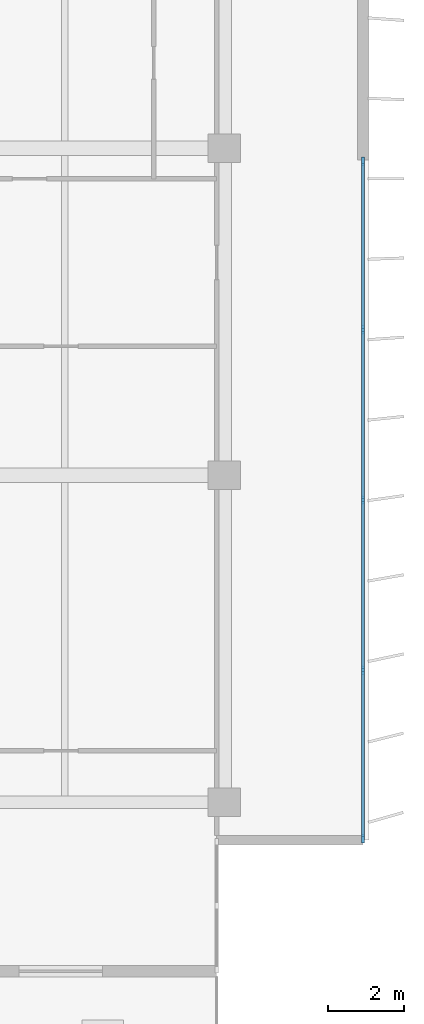
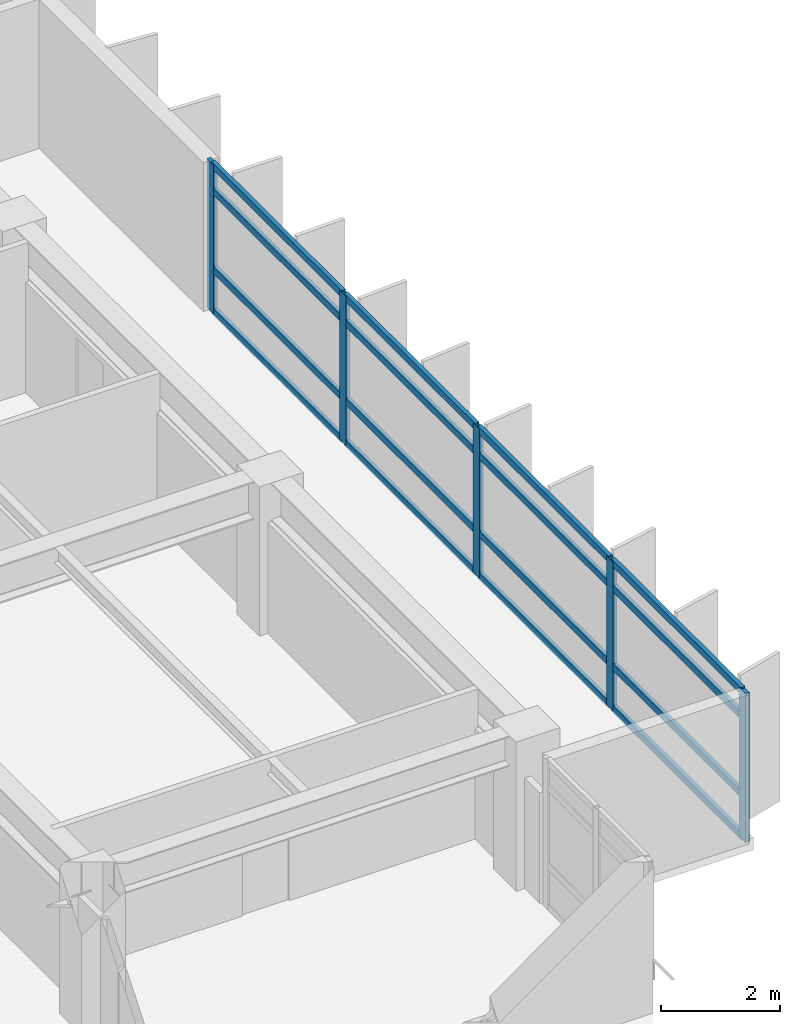
# One storey, part 5 of 16: 21 members, 1 element without a shape of its own.
"""IFC4 building model written with IfcOpenShell, lengths in metres."""

from ifc_helpers import new_model, si_unit, direction, frame, origin, origin_2d, place, context, subcontext, project, spatial, rectangle, extrude, material, layer, layer_set, material_profile, profile_set, type_object, element, aggregate, save


model = new_model("IFC4")

# Units and contexts
model_context = context("Model", 3, precision=1e-05, world=origin(), true_north=direction((0.0, 1.0)))
body_context = subcontext(model_context, "Body", "Model", "MODEL_VIEW")
ifc_project = project(units=[si_unit("LENGTHUNIT", "METRE"), si_unit("AREAUNIT", "SQUARE_METRE"), si_unit("VOLUMEUNIT", "CUBIC_METRE"), si_unit("PLANEANGLEUNIT", "RADIAN"), si_unit("MASSUNIT", "GRAM", prefix="KILO")], contexts=[model_context])

# Site, building, storey
site_placement = place(None, origin())
site = spatial("IfcSite", under=ifc_project, at=site_placement, CompositionType="ELEMENT")
building_placement = place(site_placement, origin())
building = spatial("IfcBuilding", under=site, at=building_placement, Name="Caelmar Bay Residences", CompositionType="ELEMENT")
storey_placement = place(building_placement, frame((0.0, 0.0, 198.300048828125)))
storey = spatial("IfcBuildingStorey", under=building, at=storey_placement, Name="L55", CompositionType="ELEMENT", Elevation=198.300048828125)

# Curtain wall, members
ifc_material_1 = material(Name="Anodised bronze aluminium 6063-T6 and laminated glass", Category="aluminium")
ifc_layer = layer(ifc_material_1, 0.179931640625)
ifc_layer_set = layer_set([ifc_layer], Name="Anodised bronze aluminium 6063-T6 and laminated glass")
curtain_wall_type = type_object("IfcCurtainWallType", Name="CW4-Z3", PredefinedType="NOTDEFINED", material=ifc_layer_set)
curtain_wall_placement = place(storey_placement, origin())
curtain_wall = element("IfcCurtainWall", 1, at=curtain_wall_placement, inside=storey, type_object=curtain_wall_type, Name="CW4 curtain wall L55", PredefinedType="NOTDEFINED")
ifc_material_2 = material(Name="Anodised bronze aluminium 6063-T6", Category="aluminium")
ifc_material_profile_1 = material_profile(ifc_material_2, rectangle(XDim=0.080078125, YDim=0.219970703125, at=origin_2d()), Name="CWM-80X220")
ifc_profile_set_1 = profile_set([ifc_material_profile_1], Name="Anodised bronze aluminium 6063-T6")
member_type_1 = type_object("IfcMemberType", Name="CWM-220", PredefinedType="MULLION", material=ifc_profile_set_1)
member_1_placement = place(storey_placement, frame((71.550048828125, 29.06005859375, 0.0), z_axis=(0.0, 0.0, 1.0), x_axis=(1.0, 0.0, 0.0)))
member_1 = element("IfcMember", 2, at=member_1_placement, type_object=member_type_1, Name="CW4 mullion 1", PredefinedType="MULLION", context=body_context, shape_type="SweptSolid", body=[
    extrude(rectangle(XDim=0.080078125, YDim=0.219970703125, at=origin_2d()), origin(), (0.0, 0.0, 1.0), 3.050048828125),
])
member_2_placement = place(storey_placement, frame((71.550048828125, 24.625, 0.0), z_axis=(0.0, 0.0, 1.0), x_axis=(1.0, 0.0, 0.0)))
member_2 = element("IfcMember", 3, at=member_2_placement, type_object=member_type_1, Name="CW4 mullion 2", PredefinedType="MULLION", context=body_context, shape_type="SweptSolid", body=[
    extrude(rectangle(XDim=0.080078125, YDim=0.219970703125, at=origin_2d()), origin(), (0.0, 0.0, 1.0), 3.050048828125),
])
member_3_placement = place(storey_placement, frame((71.550048828125, 20.14990234375, 0.0), z_axis=(0.0, 0.0, 1.0), x_axis=(1.0, 0.0, 0.0)))
member_3 = element("IfcMember", 4, at=member_3_placement, type_object=member_type_1, Name="CW4 mullion 3", PredefinedType="MULLION", context=body_context, shape_type="SweptSolid", body=[
    extrude(rectangle(XDim=0.080078125, YDim=0.219970703125, at=origin_2d()), origin(), (0.0, 0.0, 1.0), 3.050048828125),
])
member_4_placement = place(storey_placement, frame((71.550048828125, 15.675048828125, 0.0), z_axis=(0.0, 0.0, 1.0), x_axis=(1.0, 0.0, 0.0)))
member_4 = element("IfcMember", 5, at=member_4_placement, type_object=member_type_1, Name="CW4 mullion 4", PredefinedType="MULLION", context=body_context, shape_type="SweptSolid", body=[
    extrude(rectangle(XDim=0.080078125, YDim=0.219970703125, at=origin_2d()), origin(), (0.0, 0.0, 1.0), 3.050048828125),
])
member_5_placement = place(storey_placement, frame((71.550048828125, 11.239990234375, 0.0), z_axis=(0.0, 0.0, 1.0), x_axis=(1.0, 0.0, 0.0)))
member_5 = element("IfcMember", 6, at=member_5_placement, type_object=member_type_1, Name="CW4 mullion 5", PredefinedType="MULLION", context=body_context, shape_type="SweptSolid", body=[
    extrude(rectangle(XDim=0.080078125, YDim=0.219970703125, at=origin_2d()), origin(), (0.0, 0.0, 1.0), 3.050048828125),
])
ifc_material_profile_2 = material_profile(ifc_material_2, rectangle(XDim=0.080078125, YDim=0.139892578125, at=origin_2d()), Name="CWT-80X140")
ifc_profile_set_2 = profile_set([ifc_material_profile_2], Name="Anodised bronze aluminium 6063-T6")
member_type_2 = type_object("IfcMemberType", Name="CWT-140", PredefinedType="NOTDEFINED", material=ifc_profile_set_2)
member_6_placement = place(storey_placement, frame((71.550048828125, 29.02001953125, 0.0400390625), z_axis=(0.0, -1.0, 0.0), x_axis=(1.0, 0.0, 0.0)))
member_6 = element("IfcMember", 7, at=member_6_placement, type_object=member_type_2, Name="CW4 transom 1.1", ObjectType="TRANSOM", PredefinedType="USERDEFINED", context=body_context, shape_type="SweptSolid", body=[
    extrude(rectangle(XDim=0.080078125, YDim=0.139892578125, at=origin_2d()), origin(), (0.0, 0.0, 1.0), 4.35498046875),
])
member_7_placement = place(storey_placement, frame((71.550048828125, 29.02001953125, 0.89990234375), z_axis=(0.0, -1.0, 0.0), x_axis=(1.0, 0.0, 0.0)))
member_7 = element("IfcMember", 8, at=member_7_placement, type_object=member_type_2, Name="CW4 transom 1.2", ObjectType="TRANSOM", PredefinedType="USERDEFINED", context=body_context, shape_type="SweptSolid", body=[
    extrude(rectangle(XDim=0.080078125, YDim=0.139892578125, at=origin_2d()), origin(), (0.0, 0.0, 1.0), 4.35498046875),
])
member_8_placement = place(storey_placement, frame((71.550048828125, 29.02001953125, 2.5), z_axis=(0.0, -1.0, 0.0), x_axis=(1.0, 0.0, 0.0)))
member_8 = element("IfcMember", 9, at=member_8_placement, type_object=member_type_2, Name="CW4 transom 1.3", ObjectType="TRANSOM", PredefinedType="USERDEFINED", context=body_context, shape_type="SweptSolid", body=[
    extrude(rectangle(XDim=0.080078125, YDim=0.139892578125, at=origin_2d()), origin(), (0.0, 0.0, 1.0), 4.35498046875),
])
member_9_placement = place(storey_placement, frame((71.550048828125, 29.02001953125, 3.010009765625), z_axis=(0.0, -1.0, 0.0), x_axis=(1.0, 0.0, 0.0)))
member_9 = element("IfcMember", 10, at=member_9_placement, type_object=member_type_2, Name="CW4 transom 1.4", ObjectType="TRANSOM", PredefinedType="USERDEFINED", context=body_context, shape_type="SweptSolid", body=[
    extrude(rectangle(XDim=0.080078125, YDim=0.139892578125, at=origin_2d()), origin(), (0.0, 0.0, 1.0), 4.35498046875),
])
member_10_placement = place(storey_placement, frame((71.550048828125, 24.5849609375, 0.0400390625), z_axis=(0.0, -1.0, 0.0), x_axis=(1.0, 0.0, 0.0)))
member_10 = element("IfcMember", 11, at=member_10_placement, type_object=member_type_2, Name="CW4 transom 2.1", ObjectType="TRANSOM", PredefinedType="USERDEFINED", context=body_context, shape_type="SweptSolid", body=[
    extrude(rectangle(XDim=0.080078125, YDim=0.139892578125, at=origin_2d()), origin(), (0.0, 0.0, 1.0), 4.39501953125),
])
member_11_placement = place(storey_placement, frame((71.550048828125, 24.5849609375, 0.89990234375), z_axis=(0.0, -1.0, 0.0), x_axis=(1.0, 0.0, 0.0)))
member_11 = element("IfcMember", 12, at=member_11_placement, type_object=member_type_2, Name="CW4 transom 2.2", ObjectType="TRANSOM", PredefinedType="USERDEFINED", context=body_context, shape_type="SweptSolid", body=[
    extrude(rectangle(XDim=0.080078125, YDim=0.139892578125, at=origin_2d()), origin(), (0.0, 0.0, 1.0), 4.39501953125),
])
member_12_placement = place(storey_placement, frame((71.550048828125, 24.5849609375, 2.5), z_axis=(0.0, -1.0, 0.0), x_axis=(1.0, 0.0, 0.0)))
member_12 = element("IfcMember", 13, at=member_12_placement, type_object=member_type_2, Name="CW4 transom 2.3", ObjectType="TRANSOM", PredefinedType="USERDEFINED", context=body_context, shape_type="SweptSolid", body=[
    extrude(rectangle(XDim=0.080078125, YDim=0.139892578125, at=origin_2d()), origin(), (0.0, 0.0, 1.0), 4.39501953125),
])
member_13_placement = place(storey_placement, frame((71.550048828125, 24.5849609375, 3.010009765625), z_axis=(0.0, -1.0, 0.0), x_axis=(1.0, 0.0, 0.0)))
member_13 = element("IfcMember", 14, at=member_13_placement, type_object=member_type_2, Name="CW4 transom 2.4", ObjectType="TRANSOM", PredefinedType="USERDEFINED", context=body_context, shape_type="SweptSolid", body=[
    extrude(rectangle(XDim=0.080078125, YDim=0.139892578125, at=origin_2d()), origin(), (0.0, 0.0, 1.0), 4.39501953125),
])
member_14_placement = place(storey_placement, frame((71.550048828125, 20.110107421875, 0.0400390625), z_axis=(0.0, -1.0, 0.0), x_axis=(1.0, 0.0, 0.0)))
member_14 = element("IfcMember", 15, at=member_14_placement, type_object=member_type_2, Name="CW4 transom 3.1", ObjectType="TRANSOM", PredefinedType="USERDEFINED", context=body_context, shape_type="SweptSolid", body=[
    extrude(rectangle(XDim=0.080078125, YDim=0.139892578125, at=origin_2d()), origin(), (0.0, 0.0, 1.0), 4.39501953125),
])
member_15_placement = place(storey_placement, frame((71.550048828125, 20.110107421875, 0.89990234375), z_axis=(0.0, -1.0, 0.0), x_axis=(1.0, 0.0, 0.0)))
member_15 = element("IfcMember", 16, at=member_15_placement, type_object=member_type_2, Name="CW4 transom 3.2", ObjectType="TRANSOM", PredefinedType="USERDEFINED", context=body_context, shape_type="SweptSolid", body=[
    extrude(rectangle(XDim=0.080078125, YDim=0.139892578125, at=origin_2d()), origin(), (0.0, 0.0, 1.0), 4.39501953125),
])
member_16_placement = place(storey_placement, frame((71.550048828125, 20.110107421875, 2.5), z_axis=(0.0, -1.0, 0.0), x_axis=(1.0, 0.0, 0.0)))
member_16 = element("IfcMember", 17, at=member_16_placement, type_object=member_type_2, Name="CW4 transom 3.3", ObjectType="TRANSOM", PredefinedType="USERDEFINED", context=body_context, shape_type="SweptSolid", body=[
    extrude(rectangle(XDim=0.080078125, YDim=0.139892578125, at=origin_2d()), origin(), (0.0, 0.0, 1.0), 4.39501953125),
])
member_17_placement = place(storey_placement, frame((71.550048828125, 20.110107421875, 3.010009765625), z_axis=(0.0, -1.0, 0.0), x_axis=(1.0, 0.0, 0.0)))
member_17 = element("IfcMember", 18, at=member_17_placement, type_object=member_type_2, Name="CW4 transom 3.4", ObjectType="TRANSOM", PredefinedType="USERDEFINED", context=body_context, shape_type="SweptSolid", body=[
    extrude(rectangle(XDim=0.080078125, YDim=0.139892578125, at=origin_2d()), origin(), (0.0, 0.0, 1.0), 4.39501953125),
])
member_18_placement = place(storey_placement, frame((71.550048828125, 15.635009765625, 0.0400390625), z_axis=(0.0, -1.0, 0.0), x_axis=(1.0, 0.0, 0.0)))
member_18 = element("IfcMember", 19, at=member_18_placement, type_object=member_type_2, Name="CW4 transom 4.1", ObjectType="TRANSOM", PredefinedType="USERDEFINED", context=body_context, shape_type="SweptSolid", body=[
    extrude(rectangle(XDim=0.080078125, YDim=0.139892578125, at=origin_2d()), origin(), (0.0, 0.0, 1.0), 4.35498046875),
])
member_19_placement = place(storey_placement, frame((71.550048828125, 15.635009765625, 0.89990234375), z_axis=(0.0, -1.0, 0.0), x_axis=(1.0, 0.0, 0.0)))
member_19 = element("IfcMember", 20, at=member_19_placement, type_object=member_type_2, Name="CW4 transom 4.2", ObjectType="TRANSOM", PredefinedType="USERDEFINED", context=body_context, shape_type="SweptSolid", body=[
    extrude(rectangle(XDim=0.080078125, YDim=0.139892578125, at=origin_2d()), origin(), (0.0, 0.0, 1.0), 4.35498046875),
])
member_20_placement = place(storey_placement, frame((71.550048828125, 15.635009765625, 2.5), z_axis=(0.0, -1.0, 0.0), x_axis=(1.0, 0.0, 0.0)))
member_20 = element("IfcMember", 21, at=member_20_placement, type_object=member_type_2, Name="CW4 transom 4.3", ObjectType="TRANSOM", PredefinedType="USERDEFINED", context=body_context, shape_type="SweptSolid", body=[
    extrude(rectangle(XDim=0.080078125, YDim=0.139892578125, at=origin_2d()), origin(), (0.0, 0.0, 1.0), 4.35498046875),
])
member_21_placement = place(storey_placement, frame((71.550048828125, 15.635009765625, 3.010009765625), z_axis=(0.0, -1.0, 0.0), x_axis=(1.0, 0.0, 0.0)))
member_21 = element("IfcMember", 22, at=member_21_placement, type_object=member_type_2, Name="CW4 transom 4.4", ObjectType="TRANSOM", PredefinedType="USERDEFINED", context=body_context, shape_type="SweptSolid", body=[
    extrude(rectangle(XDim=0.080078125, YDim=0.139892578125, at=origin_2d()), origin(), (0.0, 0.0, 1.0), 4.35498046875),
])
aggregate(curtain_wall, [member_1, member_2, member_3, member_4, member_5, member_6, member_7, member_8, member_9, member_10, member_11, member_12, member_13, member_14, member_15, member_16, member_17, member_18, member_19, member_20, member_21])

save(model, "model.ifc")
